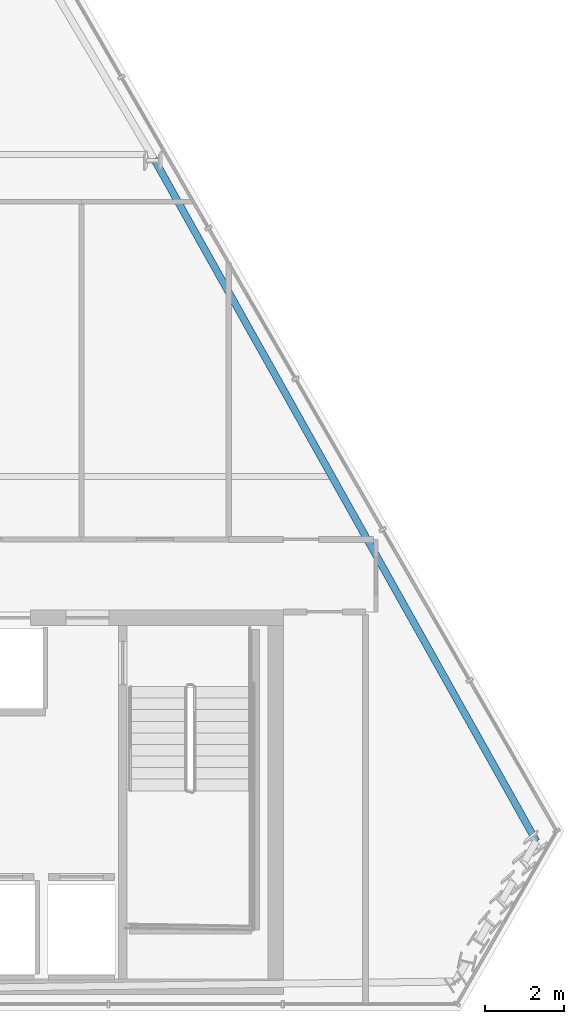
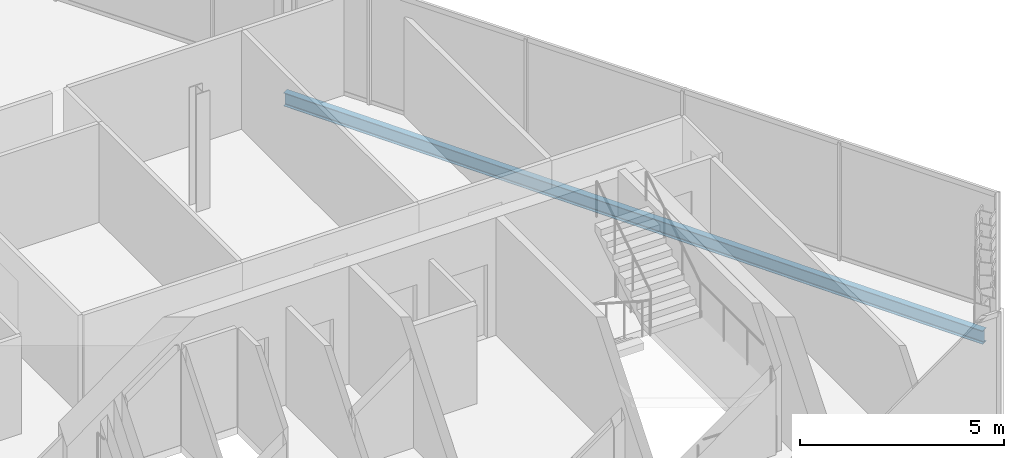
# One storey, part 24 of 35: 1 beam.
"""IFC4 building model written with IfcOpenShell, lengths in metres."""

from ifc_helpers import new_model, si_unit, direction, frame, origin, origin_2d, place, context, subcontext, project, spatial, i_section, extrude, material, material_profile, profile_set, type_object, element, save


model = new_model("IFC4")

# Units and contexts
model_context = context("Model", 3, precision=1e-05, world=origin(), true_north=direction((0.0, 1.0)))
body_context = subcontext(model_context, "Body", "Model", "MODEL_VIEW")
ifc_project = project(units=[si_unit("LENGTHUNIT", "METRE"), si_unit("AREAUNIT", "SQUARE_METRE"), si_unit("VOLUMEUNIT", "CUBIC_METRE"), si_unit("PLANEANGLEUNIT", "RADIAN"), si_unit("MASSUNIT", "GRAM", prefix="KILO")], contexts=[model_context])

# Site, building, storey
site_placement = place(None, origin())
site = spatial("IfcSite", under=ifc_project, at=site_placement, CompositionType="ELEMENT")
building_placement = place(site_placement, origin())
building = spatial("IfcBuilding", under=site, at=building_placement, Name="Ndaravel Arena Tower", CompositionType="ELEMENT")
storey_placement = place(building_placement, frame((0.0, 0.0, 275.0)))
storey = spatial("IfcBuildingStorey", under=building, at=storey_placement, Name="L67", CompositionType="ELEMENT", Elevation=275.0)

# Beam
ifc_material = material(Name="Steel S355", Category="steel")
ifc_material_profile = material_profile(ifc_material, i_section(OverallWidth=0.179931640625, OverallDepth=0.39990234375, WebThickness=0.008544921875, FlangeThickness=0.013427734375, FilletRadius=0.02099609375, at=origin_2d()), Name="IPE 400")
ifc_profile_set = profile_set([ifc_material_profile], Name="Steel S355")
beam_type = type_object("IfcBeamType", Name="BM-SPAN-IPE400", PredefinedType="SPANDREL", material=ifc_profile_set)
beam_placement = place(storey_placement, frame((63.98681640625, 9.312255859375, -0.419921875), z_axis=(-0.488846264498, 0.872369950013, 0.0), x_axis=(-0.872369950013, -0.488846264498, 0.0)))
element("IfcBeam", 1, at=beam_placement, inside=storey, type_object=beam_type, Name="L67 Perimeter Spandrel Beam SP-09", PredefinedType="SPANDREL", context=body_context, shape_type="SweptSolid", body=[
    extrude(i_section(OverallWidth=0.179931640625, OverallDepth=0.39990234375, WebThickness=0.008544921875, FlangeThickness=0.013427734375, FilletRadius=0.02099609375, at=origin_2d()), origin(), (0.0, 0.0, 1.0), 19.92333984375),
])

save(model, "model.ifc")
